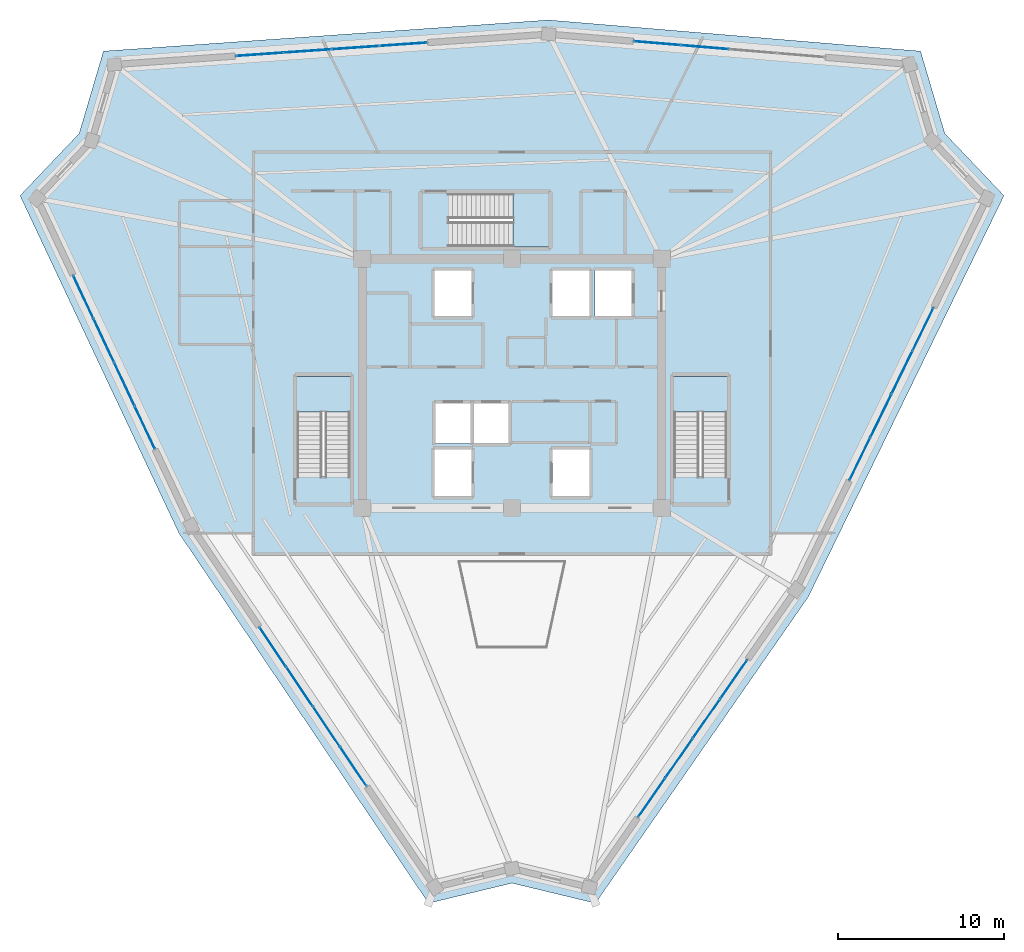
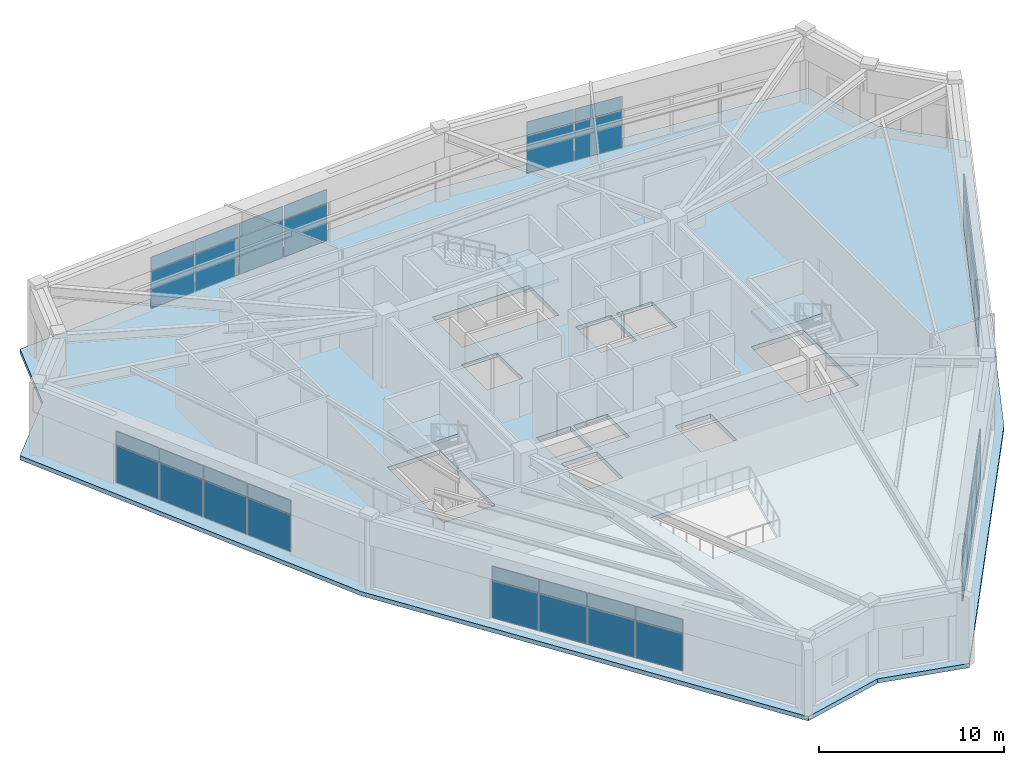
# One storey, part 32 of 40: 44 plates, 4 slabs, 9 elements without a shape of their own.
"""IFC4 building model written with IfcOpenShell, lengths in metres."""

from ifc_helpers import new_model, si_unit, direction, frame, origin, origin_2d, place, context, subcontext, project, spatial, polyline, rectangle, outline, extrude, source, transform, mapped, material, layer, layer_set, type_object, element, aggregate, save


model = new_model("IFC4")

# Units and contexts
model_context = context("Model", 3, precision=1e-05, world=origin(), true_north=direction((0.0, 1.0)))
body_context = subcontext(model_context, "Body", "Model", "MODEL_VIEW")
ifc_project = project(units=[si_unit("LENGTHUNIT", "METRE"), si_unit("AREAUNIT", "SQUARE_METRE"), si_unit("VOLUMEUNIT", "CUBIC_METRE"), si_unit("PLANEANGLEUNIT", "RADIAN"), si_unit("MASSUNIT", "GRAM", prefix="KILO")], contexts=[model_context])

# Site, building, storey
site_placement = place(None, origin())
site = spatial("IfcSite", under=ifc_project, at=site_placement, CompositionType="ELEMENT")
building_placement = place(site_placement, origin())
building = spatial("IfcBuilding", under=site, at=building_placement, Name="Liaohun Quay Tower", CompositionType="ELEMENT")
storey_placement = place(building_placement, frame((0.0, 0.0, 351.0)))
storey = spatial("IfcBuildingStorey", under=building, at=storey_placement, Name="L91", CompositionType="ELEMENT", Elevation=351.0)

# Stair, slab
ifc_material_1 = material(Name="Concrete C45", Category="concrete")
stair_type = type_object("IfcStairType", Name="STR-CORE-CRN", PredefinedType="HALF_TURN_STAIR", material=ifc_material_1)
stair_1_placement = place(storey_placement, origin())
stair_1 = element("IfcStair", 1, at=stair_1_placement, inside=storey, type_object=stair_type, Name="L91 Smokeproof Core Exit Stair ST-1", PredefinedType="HALF_TURN_STAIR")
ifc_layer_1 = layer(ifc_material_1, 0.199951171875, Name="Concrete C45", Category="concrete")
ifc_layer_set_1 = layer_set([ifc_layer_1], Name="Concrete C45")
slab_type_1 = type_object("IfcSlabType", Name="SLB-LND-200", PredefinedType="LANDING", material=ifc_layer_set_1)
slab_1_placement = place(storey_placement, frame((0.0, 0.0, 2.199951171875)))
slab_1 = element("IfcSlab", 2, at=slab_1_placement, type_object=slab_type_1, Name="ST-1 landing 1", PredefinedType="LANDING", context=body_context, shape_type="SweptSolid", body=[
    extrude(outline(polyline([(50.280029296875, 52.27001953125), (50.280029296875, 54.419921875), (47.0400390625, 54.419921875), (47.0400390625, 52.27001953125), (50.280029296875, 52.27001953125)])), origin(), (0.0, 0.0, 1.0), 0.199951171875),
])
aggregate(stair_1, [slab_1])

stair_2_placement = place(storey_placement, origin())
stair_2 = element("IfcStair", 3, at=stair_2_placement, inside=storey, type_object=stair_type, Name="L91 Smokeproof Core Exit Stair ST-2", PredefinedType="HALF_TURN_STAIR")
slab_2_placement = place(storey_placement, frame((0.0, 0.0, 2.199951171875)))
slab_2 = element("IfcSlab", 4, at=slab_2_placement, type_object=slab_type_1, Name="ST-2 landing 1", PredefinedType="LANDING", context=body_context, shape_type="SweptSolid", body=[
    extrude(outline(polyline([(72.9599609375, 52.27001953125), (72.9599609375, 54.419921875), (69.719970703125, 54.419921875), (69.719970703125, 52.27001953125), (72.9599609375, 52.27001953125)])), origin(), (0.0, 0.0, 1.0), 0.199951171875),
])
aggregate(stair_2, [slab_2])

stair_3_placement = place(storey_placement, origin())
stair_3 = element("IfcStair", 5, at=stair_3_placement, inside=storey, type_object=stair_type, Name="L91 Smokeproof Core Exit Stair ST-3", PredefinedType="HALF_TURN_STAIR")
slab_3_placement = place(storey_placement, frame((0.0, 0.0, 2.199951171875)))
slab_3 = element("IfcSlab", 6, at=slab_3_placement, type_object=slab_type_1, Name="ST-3 landing 1", PredefinedType="LANDING", context=body_context, shape_type="SweptSolid", body=[
    extrude(outline(polyline([(60.070068359375, 62.199951171875), (62.219970703125, 62.199951171875), (62.219970703125, 65.43994140625), (60.070068359375, 65.43994140625), (60.070068359375, 62.199951171875)])), origin(), (0.0, 0.0, 1.0), 0.199951171875),
])
aggregate(stair_3, [slab_3])

# Slab
ifc_material_2 = material(Name="Concrete C50", Category="concrete")
ifc_layer_2 = layer(ifc_material_2, 0.280029296875, Name="Concrete C50", Category="concrete")
ifc_layer_set_2 = layer_set([ifc_layer_2], Name="Concrete C50")
slab_type_2 = type_object("IfcSlabType", Name="SLB-REF-280", PredefinedType="FLOOR", material=ifc_layer_set_2)
slab_4_placement = place(storey_placement, frame((0.0, 0.0, -0.280029296875)))
element("IfcSlab", 7, at=slab_4_placement, inside=storey, type_object=slab_type_2, Name="L91 Structural Floor Slab", PredefinedType="FLOOR", context=body_context, shape_type="SweptSolid", body=[
    extrude(outline(polyline([(54.97900390625, 22.712890625), (60.0, 23.925048828125), (65.02099609375, 22.712890625), (77.830078125, 41.15087890625), (89.60595703125, 65.294921875), (86.044921875, 69.037109375), (84.5849609375, 73.991943359375), (62.212890625, 75.864990234375), (35.4150390625, 73.991943359375), (33.955078125, 69.037109375), (30.39404296875, 65.294921875), (39.9580078125, 44.98388671875), (54.97900390625, 22.712890625)]), holes=[polyline([(57.56005859375, 50.030029296875), (55.340087890625, 50.030029296875), (55.340087890625, 47.2099609375), (57.56005859375, 47.2099609375), (57.56005859375, 50.030029296875)]), polyline([(47.0400390625, 54.419921875), (47.0400390625, 48.409912109375), (50.280029296875, 48.409912109375), (50.280029296875, 54.419921875), (47.0400390625, 54.419921875)]), polyline([(57.510009765625, 52.81005859375), (55.389892578125, 52.81005859375), (55.389892578125, 50.389892578125), (57.510009765625, 50.389892578125), (57.510009765625, 52.81005859375)]), polyline([(59.81005859375, 50.389892578125), (59.81005859375, 52.81005859375), (57.68994140625, 52.81005859375), (57.68994140625, 50.389892578125), (59.81005859375, 50.389892578125)]), polyline([(57.56005859375, 58.0400390625), (57.56005859375, 60.7900390625), (55.340087890625, 60.7900390625), (55.340087890625, 58.0400390625), (57.56005859375, 58.0400390625)]), polyline([(62.219970703125, 65.43994140625), (56.2099609375, 65.43994140625), (56.2099609375, 62.199951171875), (62.219970703125, 62.199951171875), (62.219970703125, 65.43994140625)]), polyline([(62.007080078125, 38.201904296875), (63.0869140625, 43.199951171875), (56.9130859375, 43.199951171875), (57.992919921875, 38.201904296875), (62.007080078125, 38.201904296875)]), polyline([(64.659912109375, 47.2099609375), (64.659912109375, 50.030029296875), (62.43994140625, 50.030029296875), (62.43994140625, 47.2099609375), (64.659912109375, 47.2099609375)]), polyline([(69.719970703125, 54.419921875), (69.719970703125, 48.409912109375), (72.9599609375, 48.409912109375), (72.9599609375, 54.419921875), (69.719970703125, 54.419921875)]), polyline([(64.659912109375, 58.0400390625), (64.659912109375, 60.7900390625), (62.43994140625, 60.7900390625), (62.43994140625, 58.0400390625), (64.659912109375, 58.0400390625)]), polyline([(67.2099609375, 58.0400390625), (67.2099609375, 60.7900390625), (64.989990234375, 60.7900390625), (64.989990234375, 58.0400390625), (67.2099609375, 58.0400390625)])]), origin(), (0.0, 0.0, 1.0), 0.280029296875),
])

# Curtain wall, plates
ifc_material_3 = material(Name="Observation gallery panoramic triple-glazed curtain wall")
ifc_layer_3 = layer(ifc_material_3, 0.219970703125, Name="Observation gallery panoramic triple-glazed curtain wall")
ifc_layer_set_3 = layer_set([ifc_layer_3], Name="Observation gallery panoramic triple-glazed curtain wall")
curtain_wall_type = type_object("IfcCurtainWallType", Name="CW-OBS-CRN", PredefinedType="NOTDEFINED", material=ifc_layer_set_3)
curtain_wall_1_placement = place(storey_placement, origin())
curtain_wall_1 = element("IfcCurtainWall", 8, at=curtain_wall_1_placement, inside=storey, type_object=curtain_wall_type, Name="L91 Panoramic Belvedere Curtain Wall 01", PredefinedType="NOTDEFINED")
ifc_material_4 = material(Name="Triple Low-E clear insulated glass unit", Category="glass")
ifc_layer_4 = layer(ifc_material_4, 0.0439453125, Name="Triple Low-E clear insulated glass unit", Category="glass")
ifc_layer_set_4 = layer_set([ifc_layer_4], Name="Triple Low-E clear insulated glass unit")
plate_type = type_object("IfcPlateType", Name="PLT-CWP-GLZ1", PredefinedType="CURTAIN_PANEL", material=ifc_layer_set_4)
shared_shape_1 = source(origin(), body_context, "Body", "SweptSolid", [
    extrude(rectangle(XDim=2.80224609375, YDim=0.0439453125, at=origin_2d()), origin(), (0.0, 0.0, 1.0), 2.429931640625),
])
plate_1_placement = place(storey_placement, frame((68.402587890625, 29.070068359375, 0.06005859375), z_axis=(0.0, 0.0, 1.0), x_axis=(0.570554131851, 0.821259996973, 0.0)))
plate_1 = element("IfcPlate", 9, at=plate_1_placement, type_object=plate_type, Name="CW6 panel 1.1", PredefinedType="CURTAIN_PANEL", context=body_context, shape_type="MappedRepresentation", body=[
    mapped(shared_shape_1, transform((0.0, 0.0, 0.0), x_axis=(1.0, 0.0, 0.0), y_axis=(0.0, 1.0, 0.0), z_axis=(0.0, 0.0, 1.0), scale=1.0)),
])
plate_2_placement = place(storey_placement, frame((73.347412109375, 36.18798828125, 0.06005859375), z_axis=(0.0, 0.0, 1.0), x_axis=(0.570554131851, 0.821259996973, 0.0)))
plate_2 = element("IfcPlate", 10, at=plate_2_placement, type_object=plate_type, Name="CW6 panel 4.1", PredefinedType="CURTAIN_PANEL", context=body_context, shape_type="MappedRepresentation", body=[
    mapped(shared_shape_1, transform((0.0, 0.0, 0.0), x_axis=(1.0, 0.0, 0.0), y_axis=(0.0, 1.0, 0.0), z_axis=(0.0, 0.0, 1.0), scale=1.0)),
])

# Curtain wall, plate
curtain_wall_2_placement = place(storey_placement, origin())
curtain_wall_2 = element("IfcCurtainWall", 11, at=curtain_wall_2_placement, inside=storey, type_object=curtain_wall_type, Name="L91 Panoramic Belvedere Curtain Wall 03", PredefinedType="NOTDEFINED")
plate_3_placement = place(storey_placement, frame((68.751953125, 74.46484375, 0.06005859375), z_axis=(0.0, 0.0, 1.0), x_axis=(-0.996518951226, 0.083366539138, 0.0)))
plate_3 = element("IfcPlate", 12, at=plate_3_placement, type_object=plate_type, Name="CW6 panel 4.1", PredefinedType="CURTAIN_PANEL", context=body_context, shape_type="MappedRepresentation", body=[
    mapped(shared_shape_1, transform((0.0, 0.0, 0.0), x_axis=(1.0, 0.0, 0.0), y_axis=(0.0, 1.0, 0.0), z_axis=(0.0, 0.0, 1.0), scale=1.0)),
])

# Plate
shared_shape_2 = source(origin(), body_context, "Body", "SweptSolid", [
    extrude(rectangle(XDim=2.80224609375, YDim=0.0439453125, at=origin_2d()), origin(), (0.0, 0.0, 1.0), 0.889892578125),
])
plate_4_placement = place(storey_placement, frame((68.402587890625, 29.070068359375, 2.55029296875), z_axis=(0.0, 0.0, 1.0), x_axis=(0.570554131851, 0.821259996973, 0.0)))
plate_4 = element("IfcPlate", 13, at=plate_4_placement, type_object=plate_type, Name="CW6 panel 1.2", PredefinedType="CURTAIN_PANEL", context=body_context, shape_type="MappedRepresentation", body=[
    mapped(shared_shape_2, transform((0.0, 0.0, 0.0), x_axis=(1.0, 0.0, 0.0), y_axis=(0.0, 1.0, 0.0), z_axis=(0.0, 0.0, 1.0), scale=1.0)),
])

plate_5_placement = place(storey_placement, frame((73.347412109375, 36.18798828125, 2.55029296875), z_axis=(0.0, 0.0, 1.0), x_axis=(0.570554131851, 0.821259996973, 0.0)))
plate_5 = element("IfcPlate", 14, at=plate_5_placement, type_object=plate_type, Name="CW6 panel 4.2", PredefinedType="CURTAIN_PANEL", context=body_context, shape_type="MappedRepresentation", body=[
    mapped(shared_shape_2, transform((0.0, 0.0, 0.0), x_axis=(1.0, 0.0, 0.0), y_axis=(0.0, 1.0, 0.0), z_axis=(0.0, 0.0, 1.0), scale=1.0)),
])

plate_6_placement = place(storey_placement, frame((68.751953125, 74.46484375, 2.55029296875), z_axis=(0.0, 0.0, 1.0), x_axis=(-0.996518951226, 0.083366539138, 0.0)))
plate_6 = element("IfcPlate", 15, at=plate_6_placement, type_object=plate_type, Name="CW6 panel 4.2", PredefinedType="CURTAIN_PANEL", context=body_context, shape_type="MappedRepresentation", body=[
    mapped(shared_shape_2, transform((0.0, 0.0, 0.0), x_axis=(1.0, 0.0, 0.0), y_axis=(0.0, 1.0, 0.0), z_axis=(0.0, 0.0, 1.0), scale=1.0)),
])

shared_shape_3 = source(origin(), body_context, "Body", "SweptSolid", [
    extrude(rectangle(XDim=2.834716796875, YDim=0.0439453125, at=origin_2d()), origin(), (0.0, 0.0, 1.0), 2.429931640625),
])
plate_7_placement = place(storey_placement, frame((70.0478515625, 31.438232421875, 0.06005859375), z_axis=(0.0, 0.0, 1.0), x_axis=(0.570554131851, 0.821259996973, 0.0)))
plate_7 = element("IfcPlate", 16, at=plate_7_placement, type_object=plate_type, Name="CW6 panel 2.1", PredefinedType="CURTAIN_PANEL", context=body_context, shape_type="MappedRepresentation", body=[
    mapped(shared_shape_3, transform((0.0, 0.0, 0.0), x_axis=(1.0, 0.0, 0.0), y_axis=(0.0, 1.0, 0.0), z_axis=(0.0, 0.0, 1.0), scale=1.0)),
])

plate_8_placement = place(storey_placement, frame((71.7021484375, 33.81982421875, 0.06005859375), z_axis=(0.0, 0.0, 1.0), x_axis=(0.570554131851, 0.821259996973, 0.0)))
plate_8 = element("IfcPlate", 17, at=plate_8_placement, type_object=plate_type, Name="CW6 panel 3.1", PredefinedType="CURTAIN_PANEL", context=body_context, shape_type="MappedRepresentation", body=[
    mapped(shared_shape_3, transform((0.0, 0.0, 0.0), x_axis=(1.0, 0.0, 0.0), y_axis=(0.0, 1.0, 0.0), z_axis=(0.0, 0.0, 1.0), scale=1.0)),
])

shared_shape_4 = source(origin(), body_context, "Body", "SweptSolid", [
    extrude(rectangle(XDim=2.834716796875, YDim=0.0439453125, at=origin_2d()), origin(), (0.0, 0.0, 1.0), 0.889892578125),
])
plate_9_placement = place(storey_placement, frame((70.0478515625, 31.438232421875, 2.55029296875), z_axis=(0.0, 0.0, 1.0), x_axis=(0.570554131851, 0.821259996973, 0.0)))
plate_9 = element("IfcPlate", 18, at=plate_9_placement, type_object=plate_type, Name="CW6 panel 2.2", PredefinedType="CURTAIN_PANEL", context=body_context, shape_type="MappedRepresentation", body=[
    mapped(shared_shape_4, transform((0.0, 0.0, 0.0), x_axis=(1.0, 0.0, 0.0), y_axis=(0.0, 1.0, 0.0), z_axis=(0.0, 0.0, 1.0), scale=1.0)),
])

plate_10_placement = place(storey_placement, frame((71.7021484375, 33.81982421875, 2.55029296875), z_axis=(0.0, 0.0, 1.0), x_axis=(0.570554131851, 0.821259996973, 0.0)))
plate_10 = element("IfcPlate", 19, at=plate_10_placement, type_object=plate_type, Name="CW6 panel 3.2", PredefinedType="CURTAIN_PANEL", context=body_context, shape_type="MappedRepresentation", body=[
    mapped(shared_shape_4, transform((0.0, 0.0, 0.0), x_axis=(1.0, 0.0, 0.0), y_axis=(0.0, 1.0, 0.0), z_axis=(0.0, 0.0, 1.0), scale=1.0)),
])

aggregate(curtain_wall_1, [plate_1, plate_4, plate_7, plate_9, plate_8, plate_10, plate_2, plate_5])

# Curtain wall, plates
curtain_wall_3_placement = place(storey_placement, origin())
curtain_wall_3 = element("IfcCurtainWall", 20, at=curtain_wall_3_placement, inside=storey, type_object=curtain_wall_type, Name="L91 Panoramic Belvedere Curtain Wall 02", PredefinedType="NOTDEFINED")
shared_shape_5 = source(origin(), body_context, "Body", "SweptSolid", [
    extrude(rectangle(XDim=2.802490234375, YDim=0.0439453125, at=origin_2d()), origin(), (0.0, 0.0, 1.0), 2.429931640625),
])
plate_11_placement = place(storey_placement, frame((80.939697265625, 49.4638671875, 0.06005859375), z_axis=(0.0, 0.0, 1.0), x_axis=(0.438260578908, 0.89884796544, 0.0)))
plate_11 = element("IfcPlate", 21, at=plate_11_placement, type_object=plate_type, Name="CW6 panel 1.1", PredefinedType="CURTAIN_PANEL", context=body_context, shape_type="MappedRepresentation", body=[
    mapped(shared_shape_5, transform((0.0, 0.0, 0.0), x_axis=(1.0, 0.0, 0.0), y_axis=(0.0, 1.0, 0.0), z_axis=(0.0, 0.0, 1.0), scale=1.0)),
])
plate_12_placement = place(storey_placement, frame((84.73828125, 57.255126953125, 0.06005859375), z_axis=(0.0, 0.0, 1.0), x_axis=(0.438260578908, 0.89884796544, 0.0)))
plate_12 = element("IfcPlate", 22, at=plate_12_placement, type_object=plate_type, Name="CW6 panel 4.1", PredefinedType="CURTAIN_PANEL", context=body_context, shape_type="MappedRepresentation", body=[
    mapped(shared_shape_5, transform((0.0, 0.0, 0.0), x_axis=(1.0, 0.0, 0.0), y_axis=(0.0, 1.0, 0.0), z_axis=(0.0, 0.0, 1.0), scale=1.0)),
])

curtain_wall_4_placement = place(storey_placement, origin())
curtain_wall_4 = element("IfcCurtainWall", 23, at=curtain_wall_4_placement, inside=storey, type_object=curtain_wall_type, Name="L91 Panoramic Belvedere Curtain Wall 04", PredefinedType="NOTDEFINED")
plate_13_placement = place(storey_placement, frame((53.458251953125, 74.401611328125, 0.06005859375), z_axis=(0.0, 0.0, 1.0), x_axis=(-0.997559207331, -0.069825696336, 0.0)))
plate_13 = element("IfcPlate", 24, at=plate_13_placement, type_object=plate_type, Name="CW6 panel 1.1", PredefinedType="CURTAIN_PANEL", context=body_context, shape_type="MappedRepresentation", body=[
    mapped(shared_shape_5, transform((0.0, 0.0, 0.0), x_axis=(1.0, 0.0, 0.0), y_axis=(0.0, 1.0, 0.0), z_axis=(0.0, 0.0, 1.0), scale=1.0)),
])
plate_14_placement = place(storey_placement, frame((44.811767578125, 73.79638671875, 0.06005859375), z_axis=(0.0, 0.0, 1.0), x_axis=(-0.997559207331, -0.069825696336, 0.0)))
plate_14 = element("IfcPlate", 25, at=plate_14_placement, type_object=plate_type, Name="CW6 panel 4.1", PredefinedType="CURTAIN_PANEL", context=body_context, shape_type="MappedRepresentation", body=[
    mapped(shared_shape_5, transform((0.0, 0.0, 0.0), x_axis=(1.0, 0.0, 0.0), y_axis=(0.0, 1.0, 0.0), z_axis=(0.0, 0.0, 1.0), scale=1.0)),
])

curtain_wall_5_placement = place(storey_placement, origin())
curtain_wall_5 = element("IfcCurtainWall", 26, at=curtain_wall_5_placement, inside=storey, type_object=curtain_wall_type, Name="L91 Panoramic Belvedere Curtain Wall 06", PredefinedType="NOTDEFINED")
plate_15_placement = place(storey_placement, frame((45.60302734375, 38.134521484375, 0.06005859375), z_axis=(0.0, 0.0, 1.0), x_axis=(0.559207809937, -0.829027517821, 0.0)))
plate_15 = element("IfcPlate", 27, at=plate_15_placement, type_object=plate_type, Name="CW6 panel 1.1", PredefinedType="CURTAIN_PANEL", context=body_context, shape_type="MappedRepresentation", body=[
    mapped(shared_shape_5, transform((0.0, 0.0, 0.0), x_axis=(1.0, 0.0, 0.0), y_axis=(0.0, 1.0, 0.0), z_axis=(0.0, 0.0, 1.0), scale=1.0)),
])
plate_16_placement = place(storey_placement, frame((50.449951171875, 30.948486328125, 0.06005859375), z_axis=(0.0, 0.0, 1.0), x_axis=(0.559207809937, -0.829027517821, 0.0)))
plate_16 = element("IfcPlate", 28, at=plate_16_placement, type_object=plate_type, Name="CW6 panel 4.1", PredefinedType="CURTAIN_PANEL", context=body_context, shape_type="MappedRepresentation", body=[
    mapped(shared_shape_5, transform((0.0, 0.0, 0.0), x_axis=(1.0, 0.0, 0.0), y_axis=(0.0, 1.0, 0.0), z_axis=(0.0, 0.0, 1.0), scale=1.0)),
])

# Plate
shared_shape_6 = source(origin(), body_context, "Body", "SweptSolid", [
    extrude(rectangle(XDim=2.802490234375, YDim=0.0439453125, at=origin_2d()), origin(), (0.0, 0.0, 1.0), 0.889892578125),
])
plate_17_placement = place(storey_placement, frame((80.939697265625, 49.4638671875, 2.55029296875), z_axis=(0.0, 0.0, 1.0), x_axis=(0.438260578908, 0.89884796544, 0.0)))
plate_17 = element("IfcPlate", 29, at=plate_17_placement, type_object=plate_type, Name="CW6 panel 1.2", PredefinedType="CURTAIN_PANEL", context=body_context, shape_type="MappedRepresentation", body=[
    mapped(shared_shape_6, transform((0.0, 0.0, 0.0), x_axis=(1.0, 0.0, 0.0), y_axis=(0.0, 1.0, 0.0), z_axis=(0.0, 0.0, 1.0), scale=1.0)),
])

plate_18_placement = place(storey_placement, frame((84.73828125, 57.255126953125, 2.55029296875), z_axis=(0.0, 0.0, 1.0), x_axis=(0.438260578908, 0.89884796544, 0.0)))
plate_18 = element("IfcPlate", 30, at=plate_18_placement, type_object=plate_type, Name="CW6 panel 4.2", PredefinedType="CURTAIN_PANEL", context=body_context, shape_type="MappedRepresentation", body=[
    mapped(shared_shape_6, transform((0.0, 0.0, 0.0), x_axis=(1.0, 0.0, 0.0), y_axis=(0.0, 1.0, 0.0), z_axis=(0.0, 0.0, 1.0), scale=1.0)),
])

plate_19_placement = place(storey_placement, frame((53.458251953125, 74.401611328125, 2.55029296875), z_axis=(0.0, 0.0, 1.0), x_axis=(-0.997559207331, -0.069825696336, 0.0)))
plate_19 = element("IfcPlate", 31, at=plate_19_placement, type_object=plate_type, Name="CW6 panel 1.2", PredefinedType="CURTAIN_PANEL", context=body_context, shape_type="MappedRepresentation", body=[
    mapped(shared_shape_6, transform((0.0, 0.0, 0.0), x_axis=(1.0, 0.0, 0.0), y_axis=(0.0, 1.0, 0.0), z_axis=(0.0, 0.0, 1.0), scale=1.0)),
])

plate_20_placement = place(storey_placement, frame((44.811767578125, 73.79638671875, 2.55029296875), z_axis=(0.0, 0.0, 1.0), x_axis=(-0.997559207331, -0.069825696336, 0.0)))
plate_20 = element("IfcPlate", 32, at=plate_20_placement, type_object=plate_type, Name="CW6 panel 4.2", PredefinedType="CURTAIN_PANEL", context=body_context, shape_type="MappedRepresentation", body=[
    mapped(shared_shape_6, transform((0.0, 0.0, 0.0), x_axis=(1.0, 0.0, 0.0), y_axis=(0.0, 1.0, 0.0), z_axis=(0.0, 0.0, 1.0), scale=1.0)),
])

plate_21_placement = place(storey_placement, frame((45.60302734375, 38.134521484375, 2.55029296875), z_axis=(0.0, 0.0, 1.0), x_axis=(0.559207809937, -0.829027517821, 0.0)))
plate_21 = element("IfcPlate", 33, at=plate_21_placement, type_object=plate_type, Name="CW6 panel 1.2", PredefinedType="CURTAIN_PANEL", context=body_context, shape_type="MappedRepresentation", body=[
    mapped(shared_shape_6, transform((0.0, 0.0, 0.0), x_axis=(1.0, 0.0, 0.0), y_axis=(0.0, 1.0, 0.0), z_axis=(0.0, 0.0, 1.0), scale=1.0)),
])

plate_22_placement = place(storey_placement, frame((50.449951171875, 30.948486328125, 2.55029296875), z_axis=(0.0, 0.0, 1.0), x_axis=(0.559207809937, -0.829027517821, 0.0)))
plate_22 = element("IfcPlate", 34, at=plate_22_placement, type_object=plate_type, Name="CW6 panel 4.2", PredefinedType="CURTAIN_PANEL", context=body_context, shape_type="MappedRepresentation", body=[
    mapped(shared_shape_6, transform((0.0, 0.0, 0.0), x_axis=(1.0, 0.0, 0.0), y_axis=(0.0, 1.0, 0.0), z_axis=(0.0, 0.0, 1.0), scale=1.0)),
])

shared_shape_7 = source(origin(), body_context, "Body", "SweptSolid", [
    extrude(rectangle(XDim=2.835205078125, YDim=0.0439453125, at=origin_2d()), origin(), (0.0, 0.0, 1.0), 2.429931640625),
])
plate_23_placement = place(storey_placement, frame((82.20361328125, 52.05615234375, 0.06005859375), z_axis=(0.0, 0.0, 1.0), x_axis=(0.438260578908, 0.89884796544, 0.0)))
plate_23 = element("IfcPlate", 35, at=plate_23_placement, type_object=plate_type, Name="CW6 panel 2.1", PredefinedType="CURTAIN_PANEL", context=body_context, shape_type="MappedRepresentation", body=[
    mapped(shared_shape_7, transform((0.0, 0.0, 0.0), x_axis=(1.0, 0.0, 0.0), y_axis=(0.0, 1.0, 0.0), z_axis=(0.0, 0.0, 1.0), scale=1.0)),
])

plate_24_placement = place(storey_placement, frame((83.474609375, 54.662841796875, 0.06005859375), z_axis=(0.0, 0.0, 1.0), x_axis=(0.438260578908, 0.89884796544, 0.0)))
plate_24 = element("IfcPlate", 36, at=plate_24_placement, type_object=plate_type, Name="CW6 panel 3.1", PredefinedType="CURTAIN_PANEL", context=body_context, shape_type="MappedRepresentation", body=[
    mapped(shared_shape_7, transform((0.0, 0.0, 0.0), x_axis=(1.0, 0.0, 0.0), y_axis=(0.0, 1.0, 0.0), z_axis=(0.0, 0.0, 1.0), scale=1.0)),
])

# Curtain wall, plates
curtain_wall_6_placement = place(storey_placement, origin())
curtain_wall_6 = element("IfcCurtainWall", 37, at=curtain_wall_6_placement, inside=storey, type_object=curtain_wall_type, Name="L91 Panoramic Belvedere Curtain Wall 05", PredefinedType="NOTDEFINED")
plate_25_placement = place(storey_placement, frame((35.437255859375, 56.580078125, 0.06005859375), z_axis=(0.0, 0.0, 1.0), x_axis=(0.425987979915, -0.904728821785, 0.0)))
plate_25 = element("IfcPlate", 38, at=plate_25_placement, type_object=plate_type, Name="CW6 panel 2.1", PredefinedType="CURTAIN_PANEL", context=body_context, shape_type="MappedRepresentation", body=[
    mapped(shared_shape_7, transform((0.0, 0.0, 0.0), x_axis=(1.0, 0.0, 0.0), y_axis=(0.0, 1.0, 0.0), z_axis=(0.0, 0.0, 1.0), scale=1.0)),
])
plate_26_placement = place(storey_placement, frame((36.6728515625, 53.9560546875, 0.06005859375), z_axis=(0.0, 0.0, 1.0), x_axis=(0.425987979915, -0.904728821785, 0.0)))
plate_26 = element("IfcPlate", 39, at=plate_26_placement, type_object=plate_type, Name="CW6 panel 3.1", PredefinedType="CURTAIN_PANEL", context=body_context, shape_type="MappedRepresentation", body=[
    mapped(shared_shape_7, transform((0.0, 0.0, 0.0), x_axis=(1.0, 0.0, 0.0), y_axis=(0.0, 1.0, 0.0), z_axis=(0.0, 0.0, 1.0), scale=1.0)),
])

# Plate
plate_27_placement = place(storey_placement, frame((47.215576171875, 35.74365234375, 0.06005859375), z_axis=(0.0, 0.0, 1.0), x_axis=(0.559207809937, -0.829027517821, 0.0)))
plate_27 = element("IfcPlate", 40, at=plate_27_placement, type_object=plate_type, Name="CW6 panel 2.1", PredefinedType="CURTAIN_PANEL", context=body_context, shape_type="MappedRepresentation", body=[
    mapped(shared_shape_7, transform((0.0, 0.0, 0.0), x_axis=(1.0, 0.0, 0.0), y_axis=(0.0, 1.0, 0.0), z_axis=(0.0, 0.0, 1.0), scale=1.0)),
])

plate_28_placement = place(storey_placement, frame((48.83740234375, 33.33935546875, 0.06005859375), z_axis=(0.0, 0.0, 1.0), x_axis=(0.559207809937, -0.829027517821, 0.0)))
plate_28 = element("IfcPlate", 41, at=plate_28_placement, type_object=plate_type, Name="CW6 panel 3.1", PredefinedType="CURTAIN_PANEL", context=body_context, shape_type="MappedRepresentation", body=[
    mapped(shared_shape_7, transform((0.0, 0.0, 0.0), x_axis=(1.0, 0.0, 0.0), y_axis=(0.0, 1.0, 0.0), z_axis=(0.0, 0.0, 1.0), scale=1.0)),
])

shared_shape_8 = source(origin(), body_context, "Body", "SweptSolid", [
    extrude(rectangle(XDim=2.835205078125, YDim=0.0439453125, at=origin_2d()), origin(), (0.0, 0.0, 1.0), 0.889892578125),
])
plate_29_placement = place(storey_placement, frame((82.20361328125, 52.05615234375, 2.55029296875), z_axis=(0.0, 0.0, 1.0), x_axis=(0.438260578908, 0.89884796544, 0.0)))
plate_29 = element("IfcPlate", 42, at=plate_29_placement, type_object=plate_type, Name="CW6 panel 2.2", PredefinedType="CURTAIN_PANEL", context=body_context, shape_type="MappedRepresentation", body=[
    mapped(shared_shape_8, transform((0.0, 0.0, 0.0), x_axis=(1.0, 0.0, 0.0), y_axis=(0.0, 1.0, 0.0), z_axis=(0.0, 0.0, 1.0), scale=1.0)),
])

plate_30_placement = place(storey_placement, frame((83.474609375, 54.662841796875, 2.55029296875), z_axis=(0.0, 0.0, 1.0), x_axis=(0.438260578908, 0.89884796544, 0.0)))
plate_30 = element("IfcPlate", 43, at=plate_30_placement, type_object=plate_type, Name="CW6 panel 3.2", PredefinedType="CURTAIN_PANEL", context=body_context, shape_type="MappedRepresentation", body=[
    mapped(shared_shape_8, transform((0.0, 0.0, 0.0), x_axis=(1.0, 0.0, 0.0), y_axis=(0.0, 1.0, 0.0), z_axis=(0.0, 0.0, 1.0), scale=1.0)),
])

aggregate(curtain_wall_3, [plate_11, plate_17, plate_23, plate_29, plate_24, plate_30, plate_12, plate_18])

plate_31_placement = place(storey_placement, frame((35.437255859375, 56.580078125, 2.55029296875), z_axis=(0.0, 0.0, 1.0), x_axis=(0.425987979915, -0.904728821785, 0.0)))
plate_31 = element("IfcPlate", 44, at=plate_31_placement, type_object=plate_type, Name="CW6 panel 2.2", PredefinedType="CURTAIN_PANEL", context=body_context, shape_type="MappedRepresentation", body=[
    mapped(shared_shape_8, transform((0.0, 0.0, 0.0), x_axis=(1.0, 0.0, 0.0), y_axis=(0.0, 1.0, 0.0), z_axis=(0.0, 0.0, 1.0), scale=1.0)),
])

plate_32_placement = place(storey_placement, frame((36.6728515625, 53.9560546875, 2.55029296875), z_axis=(0.0, 0.0, 1.0), x_axis=(0.425987979915, -0.904728821785, 0.0)))
plate_32 = element("IfcPlate", 45, at=plate_32_placement, type_object=plate_type, Name="CW6 panel 3.2", PredefinedType="CURTAIN_PANEL", context=body_context, shape_type="MappedRepresentation", body=[
    mapped(shared_shape_8, transform((0.0, 0.0, 0.0), x_axis=(1.0, 0.0, 0.0), y_axis=(0.0, 1.0, 0.0), z_axis=(0.0, 0.0, 1.0), scale=1.0)),
])

plate_33_placement = place(storey_placement, frame((47.215576171875, 35.74365234375, 2.55029296875), z_axis=(0.0, 0.0, 1.0), x_axis=(0.559207809937, -0.829027517821, 0.0)))
plate_33 = element("IfcPlate", 46, at=plate_33_placement, type_object=plate_type, Name="CW6 panel 2.2", PredefinedType="CURTAIN_PANEL", context=body_context, shape_type="MappedRepresentation", body=[
    mapped(shared_shape_8, transform((0.0, 0.0, 0.0), x_axis=(1.0, 0.0, 0.0), y_axis=(0.0, 1.0, 0.0), z_axis=(0.0, 0.0, 1.0), scale=1.0)),
])

plate_34_placement = place(storey_placement, frame((48.83740234375, 33.33935546875, 2.55029296875), z_axis=(0.0, 0.0, 1.0), x_axis=(0.559207809937, -0.829027517821, 0.0)))
plate_34 = element("IfcPlate", 47, at=plate_34_placement, type_object=plate_type, Name="CW6 panel 3.2", PredefinedType="CURTAIN_PANEL", context=body_context, shape_type="MappedRepresentation", body=[
    mapped(shared_shape_8, transform((0.0, 0.0, 0.0), x_axis=(1.0, 0.0, 0.0), y_axis=(0.0, 1.0, 0.0), z_axis=(0.0, 0.0, 1.0), scale=1.0)),
])

aggregate(curtain_wall_5, [plate_15, plate_21, plate_27, plate_33, plate_28, plate_34, plate_16, plate_22])

shared_shape_9 = source(origin(), body_context, "Body", "SweptSolid", [
    extrude(rectangle(XDim=2.8349609375, YDim=0.0439453125, at=origin_2d()), origin(), (0.0, 0.0, 1.0), 2.429931640625),
])
plate_35_placement = place(storey_placement, frame((71.625732421875, 74.224365234375, 0.06005859375), z_axis=(0.0, 0.0, 1.0), x_axis=(-0.996518951226, 0.083366539138, 0.0)))
plate_35 = element("IfcPlate", 48, at=plate_35_placement, type_object=plate_type, Name="CW6 panel 3.1", PredefinedType="CURTAIN_PANEL", context=body_context, shape_type="MappedRepresentation", body=[
    mapped(shared_shape_9, transform((0.0, 0.0, 0.0), x_axis=(1.0, 0.0, 0.0), y_axis=(0.0, 1.0, 0.0), z_axis=(0.0, 0.0, 1.0), scale=1.0)),
])

plate_36_placement = place(storey_placement, frame((50.58154296875, 74.2001953125, 0.06005859375), z_axis=(0.0, 0.0, 1.0), x_axis=(-0.997559207331, -0.069825696336, 0.0)))
plate_36 = element("IfcPlate", 49, at=plate_36_placement, type_object=plate_type, Name="CW6 panel 2.1", PredefinedType="CURTAIN_PANEL", context=body_context, shape_type="MappedRepresentation", body=[
    mapped(shared_shape_9, transform((0.0, 0.0, 0.0), x_axis=(1.0, 0.0, 0.0), y_axis=(0.0, 1.0, 0.0), z_axis=(0.0, 0.0, 1.0), scale=1.0)),
])

plate_37_placement = place(storey_placement, frame((47.6884765625, 73.997802734375, 0.06005859375), z_axis=(0.0, 0.0, 1.0), x_axis=(-0.997559207331, -0.069825696336, 0.0)))
plate_37 = element("IfcPlate", 50, at=plate_37_placement, type_object=plate_type, Name="CW6 panel 3.1", PredefinedType="CURTAIN_PANEL", context=body_context, shape_type="MappedRepresentation", body=[
    mapped(shared_shape_9, transform((0.0, 0.0, 0.0), x_axis=(1.0, 0.0, 0.0), y_axis=(0.0, 1.0, 0.0), z_axis=(0.0, 0.0, 1.0), scale=1.0)),
])

shared_shape_10 = source(origin(), body_context, "Body", "SweptSolid", [
    extrude(rectangle(XDim=2.8349609375, YDim=0.0439453125, at=origin_2d()), origin(), (0.0, 0.0, 1.0), 0.889892578125),
])
plate_38_placement = place(storey_placement, frame((71.625732421875, 74.224365234375, 2.55029296875), z_axis=(0.0, 0.0, 1.0), x_axis=(-0.996518951226, 0.083366539138, 0.0)))
plate_38 = element("IfcPlate", 51, at=plate_38_placement, type_object=plate_type, Name="CW6 panel 3.2", PredefinedType="CURTAIN_PANEL", context=body_context, shape_type="MappedRepresentation", body=[
    mapped(shared_shape_10, transform((0.0, 0.0, 0.0), x_axis=(1.0, 0.0, 0.0), y_axis=(0.0, 1.0, 0.0), z_axis=(0.0, 0.0, 1.0), scale=1.0)),
])

aggregate(curtain_wall_2, [plate_35, plate_38, plate_3, plate_6])

plate_39_placement = place(storey_placement, frame((50.58154296875, 74.2001953125, 2.55029296875), z_axis=(0.0, 0.0, 1.0), x_axis=(-0.997559207331, -0.069825696336, 0.0)))
plate_39 = element("IfcPlate", 52, at=plate_39_placement, type_object=plate_type, Name="CW6 panel 2.2", PredefinedType="CURTAIN_PANEL", context=body_context, shape_type="MappedRepresentation", body=[
    mapped(shared_shape_10, transform((0.0, 0.0, 0.0), x_axis=(1.0, 0.0, 0.0), y_axis=(0.0, 1.0, 0.0), z_axis=(0.0, 0.0, 1.0), scale=1.0)),
])

plate_40_placement = place(storey_placement, frame((47.6884765625, 73.997802734375, 2.55029296875), z_axis=(0.0, 0.0, 1.0), x_axis=(-0.997559207331, -0.069825696336, 0.0)))
plate_40 = element("IfcPlate", 53, at=plate_40_placement, type_object=plate_type, Name="CW6 panel 3.2", PredefinedType="CURTAIN_PANEL", context=body_context, shape_type="MappedRepresentation", body=[
    mapped(shared_shape_10, transform((0.0, 0.0, 0.0), x_axis=(1.0, 0.0, 0.0), y_axis=(0.0, 1.0, 0.0), z_axis=(0.0, 0.0, 1.0), scale=1.0)),
])

aggregate(curtain_wall_4, [plate_13, plate_19, plate_36, plate_39, plate_37, plate_40, plate_14, plate_20])

shared_shape_11 = source(origin(), body_context, "Body", "SweptSolid", [
    extrude(rectangle(XDim=2.802734375, YDim=0.0439453125, at=origin_2d()), origin(), (0.0, 0.0, 1.0), 2.429931640625),
])
plate_41_placement = place(storey_placement, frame((34.208740234375, 59.189208984375, 0.06005859375), z_axis=(0.0, 0.0, 1.0), x_axis=(0.425987979915, -0.904728821785, 0.0)))
plate_41 = element("IfcPlate", 54, at=plate_41_placement, type_object=plate_type, Name="CW6 panel 1.1", PredefinedType="CURTAIN_PANEL", context=body_context, shape_type="MappedRepresentation", body=[
    mapped(shared_shape_11, transform((0.0, 0.0, 0.0), x_axis=(1.0, 0.0, 0.0), y_axis=(0.0, 1.0, 0.0), z_axis=(0.0, 0.0, 1.0), scale=1.0)),
])

plate_42_placement = place(storey_placement, frame((37.9013671875, 51.3466796875, 0.06005859375), z_axis=(0.0, 0.0, 1.0), x_axis=(0.425987979915, -0.904728821785, 0.0)))
plate_42 = element("IfcPlate", 55, at=plate_42_placement, type_object=plate_type, Name="CW6 panel 4.1", PredefinedType="CURTAIN_PANEL", context=body_context, shape_type="MappedRepresentation", body=[
    mapped(shared_shape_11, transform((0.0, 0.0, 0.0), x_axis=(1.0, 0.0, 0.0), y_axis=(0.0, 1.0, 0.0), z_axis=(0.0, 0.0, 1.0), scale=1.0)),
])

shared_shape_12 = source(origin(), body_context, "Body", "SweptSolid", [
    extrude(rectangle(XDim=2.802734375, YDim=0.0439453125, at=origin_2d()), origin(), (0.0, 0.0, 1.0), 0.889892578125),
])
plate_43_placement = place(storey_placement, frame((34.208740234375, 59.189208984375, 2.55029296875), z_axis=(0.0, 0.0, 1.0), x_axis=(0.425987979915, -0.904728821785, 0.0)))
plate_43 = element("IfcPlate", 56, at=plate_43_placement, type_object=plate_type, Name="CW6 panel 1.2", PredefinedType="CURTAIN_PANEL", context=body_context, shape_type="MappedRepresentation", body=[
    mapped(shared_shape_12, transform((0.0, 0.0, 0.0), x_axis=(1.0, 0.0, 0.0), y_axis=(0.0, 1.0, 0.0), z_axis=(0.0, 0.0, 1.0), scale=1.0)),
])

plate_44_placement = place(storey_placement, frame((37.9013671875, 51.3466796875, 2.55029296875), z_axis=(0.0, 0.0, 1.0), x_axis=(0.425987979915, -0.904728821785, 0.0)))
plate_44 = element("IfcPlate", 57, at=plate_44_placement, type_object=plate_type, Name="CW6 panel 4.2", PredefinedType="CURTAIN_PANEL", context=body_context, shape_type="MappedRepresentation", body=[
    mapped(shared_shape_12, transform((0.0, 0.0, 0.0), x_axis=(1.0, 0.0, 0.0), y_axis=(0.0, 1.0, 0.0), z_axis=(0.0, 0.0, 1.0), scale=1.0)),
])

aggregate(curtain_wall_6, [plate_41, plate_43, plate_25, plate_31, plate_26, plate_32, plate_42, plate_44])

save(model, "model.ifc")
